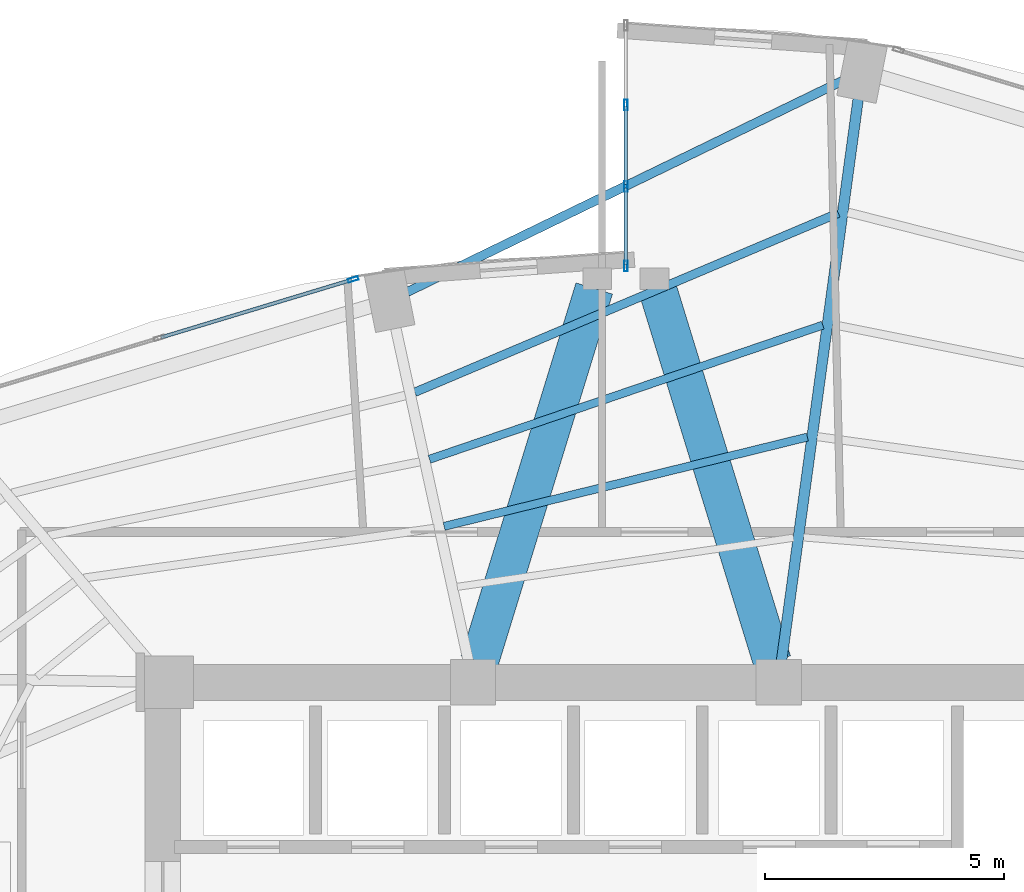
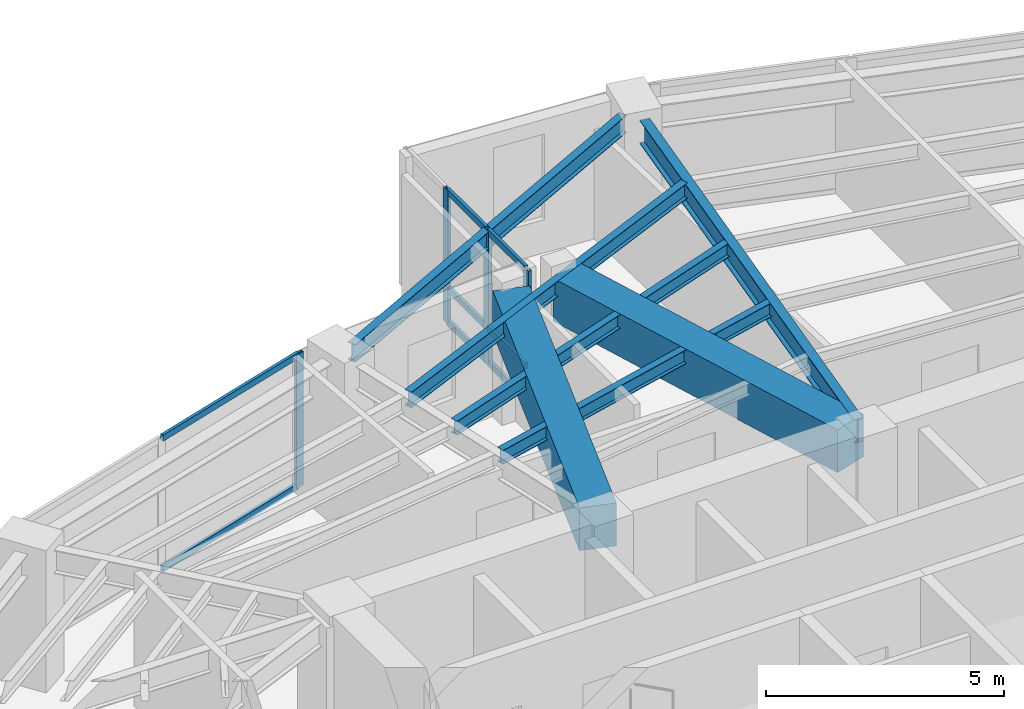
# One storey, part 15 of 24: 12 members, 7 beams, 2 elements without a shape of their own.
"""IFC4 building model written with IfcOpenShell, lengths in metres."""

from ifc_helpers import new_model, si_unit, direction, frame, origin, origin_2d, place, context, subcontext, project, spatial, rectangle, hollow_rectangle, i_section, extrude, material, layer, layer_set, material_profile, profile_set, type_object, element, aggregate, save


model = new_model("IFC4")

# Units and contexts
model_context = context("Model", 3, precision=1e-05, world=origin(), true_north=direction((0.0, 1.0)))
body_context = subcontext(model_context, "Body", "Model", "MODEL_VIEW")
ifc_project = project(units=[si_unit("LENGTHUNIT", "METRE"), si_unit("AREAUNIT", "SQUARE_METRE"), si_unit("VOLUMEUNIT", "CUBIC_METRE"), si_unit("PLANEANGLEUNIT", "RADIAN"), si_unit("MASSUNIT", "GRAM", prefix="KILO")], contexts=[model_context])

# Site, building, storey
site_placement = place(None, origin())
site = spatial("IfcSite", under=ifc_project, at=site_placement, CompositionType="ELEMENT")
building_placement = place(site_placement, origin())
building = spatial("IfcBuilding", under=site, at=building_placement, Name="Lazwardi Medical Tower", CompositionType="ELEMENT")
storey_placement = place(building_placement, frame((0.0, 0.0, 103.632080078125)))
storey = spatial("IfcBuildingStorey", under=building, at=storey_placement, Name="L26", CompositionType="ELEMENT", Elevation=103.632080078125)

# Beams
ifc_material_1 = material(Name="Concrete C70/85", Category="concrete")
ifc_material_profile_1 = material_profile(ifc_material_1, rectangle(XDim=0.800048828125, YDim=1.10009765625, at=origin_2d()), Name="RC 800x1100")
ifc_profile_set_1 = profile_set([ifc_material_profile_1], Name="Concrete C70/85")
beam_type_1 = type_object("IfcBeamType", Name="BM-CB-RC1", PredefinedType="LINTEL", material=ifc_profile_set_1)
for number, where, z_axis, x_axis, name in (
    (1, (32.935302734375, 36.039794921875, 2.8779296875), (0.294073251002, 0.955782884888, 0.0), (-0.955782884888, 0.294073251002, 0.0), "Core coupling lintel CB-01 PL1 L26"),
    (2, (39.064697265625, 36.039794921875, 2.8779296875), (-0.294073251002, 0.955782884888, 0.0), (-0.955782884888, -0.294073251002, 0.0), "Core coupling lintel CB-01 PL2 L26"),
):
    element("IfcBeam", number, at=place(storey_placement, frame(where, z_axis=z_axis, x_axis=x_axis)), inside=storey, type_object=beam_type_1, Name=name, PredefinedType="LINTEL", context=body_context, shape_type="SweptSolid", body=[
        extrude(rectangle(XDim=0.800048828125, YDim=1.10009765625, at=origin_2d()), origin(), (0.0, 0.0, 1.0), 8.1708984375),
    ])
ifc_material_2 = material(Name="Steel S355", Category="steel")
ifc_material_profile_2 = material_profile(ifc_material_2, i_section(OverallWidth=0.219970703125, OverallDepth=0.60009765625, WebThickness=0.011962890625, FlangeThickness=0.01904296875, at=origin_2d()), Name="IPE 600")
ifc_profile_set_2 = profile_set([ifc_material_profile_2], Name="Steel S355")
beam_type_2 = type_object("IfcBeamType", Name="BM-RG-W1", PredefinedType="BEAM", material=ifc_profile_set_2)
beam_1_placement = place(storey_placement, frame((40.8671875, 47.82275390625, 3.1279296875), z_axis=(-0.135147148002, -0.990825538825, 0.0), x_axis=(0.990825538825, -0.135147148002, 0.0)))
element("IfcBeam", 3, at=beam_1_placement, inside=storey, type_object=beam_type_2, Name="Radial girder RG-02 R08 L26", PredefinedType="BEAM", context=body_context, shape_type="SweptSolid", body=[
    extrude(i_section(OverallWidth=0.219970703125, OverallDepth=0.60009765625, WebThickness=0.011962890625, FlangeThickness=0.01904296875, at=origin_2d()), origin(), (0.0, 0.0, 1.0), 11.875732421875),
])
ifc_material_profile_3 = material_profile(ifc_material_2, i_section(OverallWidth=0.179931640625, OverallDepth=0.39990234375, WebThickness=0.008544921875, FlangeThickness=0.013427734375, at=origin_2d()), Name="IPE 400")
ifc_profile_set_3 = profile_set([ifc_material_profile_3], Name="Steel S355")
beam_type_3 = type_object("IfcBeamType", Name="BM-SJ-01", PredefinedType="JOIST", material=ifc_profile_set_3)
beam_2_placement = place(storey_placement, frame((40.449462890625, 45.428466796875, 3.22802734375), z_axis=(-0.920947307957, -0.389687125739, 0.0), x_axis=(0.389687125739, -0.920947307957, 0.0)))
element("IfcBeam", 4, at=beam_2_placement, inside=storey, type_object=beam_type_3, Name="Secondary joist SJ-01 R1 B08 L26", PredefinedType="JOIST", context=body_context, shape_type="SweptSolid", body=[
    extrude(i_section(OverallWidth=0.179931640625, OverallDepth=0.39990234375, WebThickness=0.008544921875, FlangeThickness=0.013427734375, at=origin_2d()), origin(), (0.0, 0.0, 1.0), 9.63134765625),
])
ifc_material_profile_4 = material_profile(ifc_material_2, i_section(OverallWidth=0.169921875, OverallDepth=0.360107421875, WebThickness=0.008056640625, FlangeThickness=0.0126953125, at=origin_2d()), Name="IPE 360")
ifc_profile_set_4 = profile_set([ifc_material_profile_4], Name="Steel S355")
beam_type_4 = type_object("IfcBeamType", Name="BM-SJ-02", PredefinedType="JOIST", material=ifc_profile_set_4)
beam_3_placement = place(storey_placement, frame((40.125732421875, 43.08203125, 3.247802734375), z_axis=(-0.946467154368, -0.322800132749, 0.0), x_axis=(0.322800132749, -0.946467154368, 0.0)))
element("IfcBeam", 5, at=beam_3_placement, inside=storey, type_object=beam_type_4, Name="Secondary joist SJ-02 R2 B08 L26", PredefinedType="JOIST", context=body_context, shape_type="SweptSolid", body=[
    extrude(i_section(OverallWidth=0.169921875, OverallDepth=0.360107421875, WebThickness=0.008056640625, FlangeThickness=0.0126953125, at=origin_2d()), origin(), (0.0, 0.0, 1.0), 8.70458984375),
])
beam_4_placement = place(storey_placement, frame((39.80224609375, 40.737548828125, 3.247802734375), z_axis=(-0.97107737879, -0.238764998276, 0.0), x_axis=(0.238764998276, -0.97107737879, 0.0)))
element("IfcBeam", 6, at=beam_4_placement, inside=storey, type_object=beam_type_4, Name="Secondary joist SJ-02 R3 B08 L26", PredefinedType="JOIST", context=body_context, shape_type="SweptSolid", body=[
    extrude(i_section(OverallWidth=0.169921875, OverallDepth=0.360107421875, WebThickness=0.008056640625, FlangeThickness=0.0126953125, at=origin_2d()), origin(), (0.0, 0.0, 1.0), 7.83447265625),
])
ifc_material_profile_5 = material_profile(ifc_material_2, i_section(OverallWidth=0.18994140625, OverallDepth=0.449951171875, WebThickness=0.009521484375, FlangeThickness=0.0146484375, at=origin_2d()), Name="IPE 450")
ifc_profile_set_5 = profile_set([ifc_material_profile_5], Name="Steel S355")
beam_type_5 = type_object("IfcBeamType", Name="BM-SP-01", PredefinedType="SPANDREL", material=ifc_profile_set_5)
beam_5_placement = place(storey_placement, frame((40.57666015625, 48.218505859375, 3.202880859375), z_axis=(-0.899653336227, -0.436604941125, 0.0), x_axis=(0.436604941125, -0.899653336227, 0.0)))
element("IfcBeam", 7, at=beam_5_placement, inside=storey, type_object=beam_type_5, Name="Spandrel beam SP-01 B08 L26", PredefinedType="SPANDREL", context=body_context, shape_type="SweptSolid", body=[
    extrude(i_section(OverallWidth=0.18994140625, OverallDepth=0.449951171875, WebThickness=0.009521484375, FlangeThickness=0.0146484375, at=origin_2d()), origin(), (0.0, 0.0, 1.0), 10.17431640625),
])

# Curtain wall, member
ifc_material_3 = material(Name="Anodised bronze aluminium and solar control glazing", Category="aluminium")
ifc_layer_1 = layer(ifc_material_3, 0.195068359375)
ifc_layer_set_1 = layer_set([ifc_layer_1], Name="Anodised bronze aluminium and solar control glazing")
curtain_wall_type_1 = type_object("IfcCurtainWallType", Name="CW-SYS-03", PredefinedType="NOTDEFINED", material=ifc_layer_set_1)
curtain_wall_1_placement = place(storey_placement, origin())
curtain_wall_1 = element("IfcCurtainWall", 8, at=curtain_wall_1_placement, inside=storey, type_object=curtain_wall_type_1, Name="L26 Unitised bronze curtain wall CW-03", PredefinedType="NOTDEFINED")
ifc_material_4 = material(Name="Anodised bronze aluminium", Category="aluminium")
ifc_material_profile_6 = material_profile(ifc_material_4, hollow_rectangle(XDim=0.074951171875, YDim=0.219970703125, WallThickness=0.00390625, at=origin_2d()), Name="ALU-MULLION 220x75x4")
ifc_profile_set_6 = profile_set([ifc_material_profile_6], Name="Anodised bronze aluminium")
member_type_1 = type_object("IfcMemberType", Name="CW-MUL-01", PredefinedType="MULLION", material=ifc_profile_set_6)
member_1_placement = place(storey_placement, frame((30.289794921875, 44.0400390625, 0.0), z_axis=(0.0, 0.0, 1.0), x_axis=(0.28937381157, -0.957216170558, 0.0)))
member_1 = element("IfcMember", 9, at=member_1_placement, type_object=member_type_1, Name="CW-03 mullion 1", PredefinedType="MULLION", context=body_context, shape_type="SweptSolid", body=[
    extrude(hollow_rectangle(XDim=0.074951171875, YDim=0.219970703125, WallThickness=0.00390625, at=origin_2d()), origin(), (0.0, 0.0, 1.0), 3.427978515625),
])

# Curtain wall, members
ifc_layer_2 = layer(ifc_material_3, 0.2099609375)
ifc_layer_set_2 = layer_set([ifc_layer_2], Name="Anodised bronze aluminium and solar control glazing")
curtain_wall_type_2 = type_object("IfcCurtainWallType", Name="CW-SYS-06", PredefinedType="NOTDEFINED", material=ifc_layer_set_2)
curtain_wall_2_placement = place(storey_placement, origin())
curtain_wall_2 = element("IfcCurtainWall", 10, at=curtain_wall_2_placement, inside=storey, type_object=curtain_wall_type_2, Name="L26 Unitised bronze curtain wall CW-06", PredefinedType="NOTDEFINED")
member_2_placement = place(storey_placement, frame((36.0, 47.693359375, 0.0), z_axis=(0.0, 0.0, 1.0), x_axis=(1.0, 0.0, 0.0)))
member_2 = element("IfcMember", 11, at=member_2_placement, type_object=member_type_1, Name="CW-06 mullion 2", PredefinedType="MULLION", context=body_context, shape_type="SweptSolid", body=[
    extrude(hollow_rectangle(XDim=0.074951171875, YDim=0.219970703125, WallThickness=0.00390625, at=origin_2d()), origin(), (0.0, 0.0, 1.0), 3.427978515625),
])
member_3_placement = place(storey_placement, frame((36.0, 45.986572265625, 0.0), z_axis=(0.0, 0.0, 1.0), x_axis=(1.0, 0.0, 0.0)))
member_3 = element("IfcMember", 12, at=member_3_placement, type_object=member_type_1, Name="CW-06 mullion 3", PredefinedType="MULLION", context=body_context, shape_type="SweptSolid", body=[
    extrude(hollow_rectangle(XDim=0.074951171875, YDim=0.219970703125, WallThickness=0.00390625, at=origin_2d()), origin(), (0.0, 0.0, 1.0), 3.427978515625),
])
member_4_placement = place(storey_placement, frame((36.0, 44.3173828125, 0.0), z_axis=(0.0, 0.0, 1.0), x_axis=(1.0, 0.0, 0.0)))
member_4 = element("IfcMember", 13, at=member_4_placement, type_object=member_type_1, Name="CW-06 mullion 4", PredefinedType="MULLION", context=body_context, shape_type="SweptSolid", body=[
    extrude(hollow_rectangle(XDim=0.074951171875, YDim=0.219970703125, WallThickness=0.00390625, at=origin_2d()), origin(), (0.0, 0.0, 1.0), 3.427978515625),
])

# Member
ifc_material_profile_7 = material_profile(ifc_material_4, hollow_rectangle(XDim=0.074951171875, YDim=0.159912109375, WallThickness=0.00390625, at=origin_2d()), Name="ALU-TRANSOM 160x75x4")
ifc_profile_set_7 = profile_set([ifc_material_profile_7], Name="Anodised bronze aluminium")
member_type_2 = type_object("IfcMemberType", Name="CW-TRN-01", PredefinedType="USERDEFINED", material=ifc_profile_set_7)
member_5_placement = place(storey_placement, frame((30.25390625, 44.029296875, 0.037353515625), z_axis=(-0.957220865985, -0.289358279168, 0.0), x_axis=(0.289358279168, -0.957220865985, 0.0)))
member_5 = element("IfcMember", 14, at=member_5_placement, type_object=member_type_2, Name="CW-03 transom 1.1", ObjectType="TRANSOM", PredefinedType="USERDEFINED", context=body_context, shape_type="SweptSolid", body=[
    extrude(hollow_rectangle(XDim=0.074951171875, YDim=0.159912109375, WallThickness=0.00390625, at=origin_2d()), origin(), (0.0, 0.0, 1.0), 4.16552734375),
])

member_6_placement = place(storey_placement, frame((30.25390625, 44.029296875, 3.390380859375), z_axis=(-0.957220865985, -0.289358279168, 0.0), x_axis=(0.289358279168, -0.957220865985, 0.0)))
member_6 = element("IfcMember", 15, at=member_6_placement, type_object=member_type_2, Name="CW-03 transom 1.2", ObjectType="TRANSOM", PredefinedType="USERDEFINED", context=body_context, shape_type="SweptSolid", body=[
    extrude(hollow_rectangle(XDim=0.074951171875, YDim=0.159912109375, WallThickness=0.00390625, at=origin_2d()), origin(), (0.0, 0.0, 1.0), 4.16552734375),
])

aggregate(curtain_wall_1, [member_1, member_5, member_6])

member_7_placement = place(storey_placement, frame((36.0, 47.65576171875, 0.037353515625), z_axis=(0.0, -1.0, 0.0), x_axis=(1.0, 0.0, 0.0)))
member_7 = element("IfcMember", 16, at=member_7_placement, type_object=member_type_2, Name="CW-06 transom 2.1", ObjectType="TRANSOM", PredefinedType="USERDEFINED", context=body_context, shape_type="SweptSolid", body=[
    extrude(hollow_rectangle(XDim=0.074951171875, YDim=0.159912109375, WallThickness=0.00390625, at=origin_2d()), origin(), (0.0, 0.0, 1.0), 1.631591796875),
])

member_8_placement = place(storey_placement, frame((36.0, 47.65576171875, 0.89990234375), z_axis=(0.0, -1.0, 0.0), x_axis=(1.0, 0.0, 0.0)))
member_8 = element("IfcMember", 17, at=member_8_placement, type_object=member_type_2, Name="CW-06 transom 2.2", ObjectType="TRANSOM", PredefinedType="USERDEFINED", context=body_context, shape_type="SweptSolid", body=[
    extrude(hollow_rectangle(XDim=0.074951171875, YDim=0.159912109375, WallThickness=0.00390625, at=origin_2d()), origin(), (0.0, 0.0, 1.0), 1.631591796875),
])

member_9_placement = place(storey_placement, frame((36.0, 47.65576171875, 3.390380859375), z_axis=(0.0, -1.0, 0.0), x_axis=(1.0, 0.0, 0.0)))
member_9 = element("IfcMember", 18, at=member_9_placement, type_object=member_type_2, Name="CW-06 transom 2.3", ObjectType="TRANSOM", PredefinedType="USERDEFINED", context=body_context, shape_type="SweptSolid", body=[
    extrude(hollow_rectangle(XDim=0.074951171875, YDim=0.159912109375, WallThickness=0.00390625, at=origin_2d()), origin(), (0.0, 0.0, 1.0), 1.631591796875),
])

member_10_placement = place(storey_placement, frame((36.0, 45.94921875, 0.037353515625), z_axis=(0.0, -1.0, 0.0), x_axis=(1.0, 0.0, 0.0)))
member_10 = element("IfcMember", 19, at=member_10_placement, type_object=member_type_2, Name="CW-06 transom 3.1", ObjectType="TRANSOM", PredefinedType="USERDEFINED", context=body_context, shape_type="SweptSolid", body=[
    extrude(hollow_rectangle(XDim=0.074951171875, YDim=0.159912109375, WallThickness=0.00390625, at=origin_2d()), origin(), (0.0, 0.0, 1.0), 1.59423828125),
])

member_11_placement = place(storey_placement, frame((36.0, 45.94921875, 0.89990234375), z_axis=(0.0, -1.0, 0.0), x_axis=(1.0, 0.0, 0.0)))
member_11 = element("IfcMember", 20, at=member_11_placement, type_object=member_type_2, Name="CW-06 transom 3.2", ObjectType="TRANSOM", PredefinedType="USERDEFINED", context=body_context, shape_type="SweptSolid", body=[
    extrude(hollow_rectangle(XDim=0.074951171875, YDim=0.159912109375, WallThickness=0.00390625, at=origin_2d()), origin(), (0.0, 0.0, 1.0), 1.59423828125),
])

member_12_placement = place(storey_placement, frame((36.0, 45.94921875, 3.390380859375), z_axis=(0.0, -1.0, 0.0), x_axis=(1.0, 0.0, 0.0)))
member_12 = element("IfcMember", 21, at=member_12_placement, type_object=member_type_2, Name="CW-06 transom 3.3", ObjectType="TRANSOM", PredefinedType="USERDEFINED", context=body_context, shape_type="SweptSolid", body=[
    extrude(hollow_rectangle(XDim=0.074951171875, YDim=0.159912109375, WallThickness=0.00390625, at=origin_2d()), origin(), (0.0, 0.0, 1.0), 1.59423828125),
])

aggregate(curtain_wall_2, [member_2, member_3, member_4, member_7, member_8, member_9, member_10, member_11, member_12])

save(model, "model.ifc")
